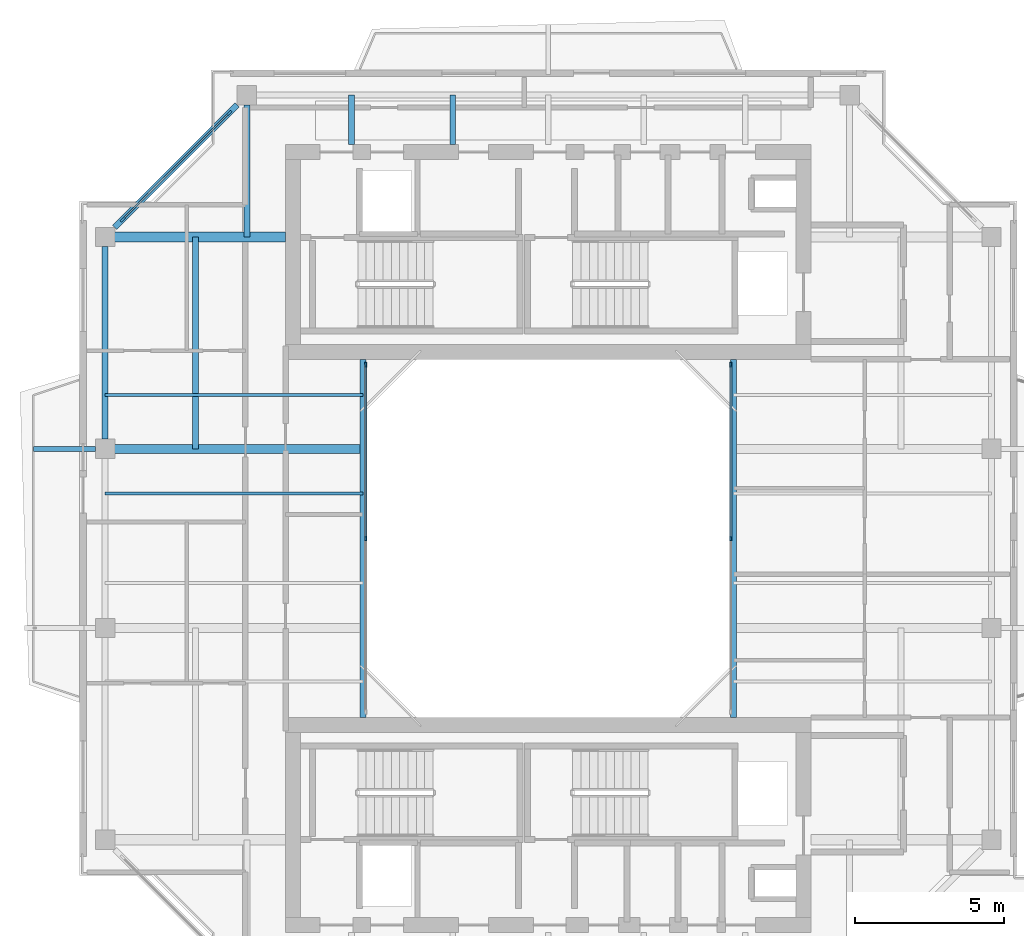
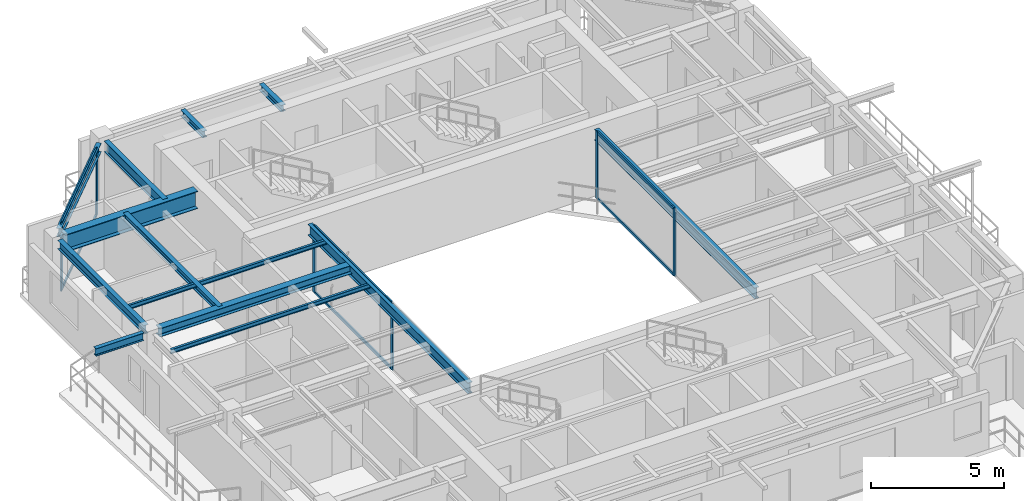
# One storey, part 5 of 14: 13 beams, 12 members, 3 elements without a shape of their own.
"""IFC4 building model written with IfcOpenShell, lengths in metres."""

from ifc_helpers import new_model, si_unit, direction, frame, origin, origin_2d, place, context, subcontext, project, spatial, rectangle, i_section, extrude, source, transform, mapped, material, layer, layer_set, material_profile, profile_set, type_object, element, aggregate, save


model = new_model("IFC4")

# Units and contexts
model_context = context("Model", 3, precision=1e-05, world=origin(), true_north=direction((0.0, 1.0)))
body_context = subcontext(model_context, "Body", "Model", "MODEL_VIEW")
ifc_project = project(units=[si_unit("LENGTHUNIT", "METRE"), si_unit("AREAUNIT", "SQUARE_METRE"), si_unit("VOLUMEUNIT", "CUBIC_METRE"), si_unit("PLANEANGLEUNIT", "RADIAN"), si_unit("MASSUNIT", "GRAM", prefix="KILO"), si_unit("THERMODYNAMICTEMPERATUREUNIT", "KELVIN"), si_unit("POWERUNIT", "WATT")], contexts=[model_context])

# Site, building, storey
site_placement = place(None, origin())
site = spatial("IfcSite", under=ifc_project, at=site_placement, CompositionType="ELEMENT")
building_placement = place(site_placement, origin())
building = spatial("IfcBuilding", under=site, at=building_placement, Name="Qiaomeng Ring Towers", CompositionType="ELEMENT")
storey_placement = place(building_placement, frame((0.0, 0.0, 253.5)))
storey = spatial("IfcBuildingStorey", under=building, at=storey_placement, Name="L74", CompositionType="ELEMENT", Elevation=253.5)

# Beams
ifc_material_1 = material(Name="Steel Q355B", Category="steel")
ifc_material_profile_1 = material_profile(ifc_material_1, i_section(OverallWidth=0.199951171875, OverallDepth=0.5, WebThickness=0.010009765625, FlangeThickness=0.01611328125, FilletRadius=0.02001953125, at=origin_2d()), Name="HN 500x200x10x16")
ifc_profile_set_1 = profile_set([ifc_material_profile_1], Name="Steel Q355B")
beam_type_1 = type_object("IfcBeamType", Name="STR-BM-HN500", PredefinedType="BEAM", material=ifc_profile_set_1)
shared_shape_1 = source(origin(), body_context, "Body", "SweptSolid", [
    extrude(i_section(OverallWidth=0.199951171875, OverallDepth=0.5, WebThickness=0.010009765625, FlangeThickness=0.01611328125, FilletRadius=0.02001953125, at=origin_2d()), origin(), (0.0, 0.0, 1.0), 12.0),
])
for number, where, z_axis, x_axis, name in (
    (1, (12.800048828125, 17.0, 2.820068359375), (0.0, 1.0, 0.0), (-1.0, 0.0, 0.0), "L74 beam STR-BM-L74-WELL-W"),
    (2, (25.199951171875, 17.0, 2.820068359375), (0.0, 1.0, 0.0), (-1.0, 0.0, 0.0), "L74 beam STR-BM-L74-WELL-E"),
):
    element("IfcBeam", number, at=place(storey_placement, frame(where, z_axis=z_axis, x_axis=x_axis)), inside=storey, type_object=beam_type_1, Name=name, PredefinedType="BEAM", context=body_context, shape_type="MappedRepresentation", body=[
        mapped(shared_shape_1, transform((0.0, 0.0, 0.0), x_axis=(1.0, 0.0, 0.0), y_axis=(0.0, 1.0, 0.0), z_axis=(0.0, 0.0, 1.0), scale=1.0)),
    ])
ifc_material_profile_2 = material_profile(ifc_material_1, i_section(OverallWidth=0.198974609375, OverallDepth=0.39599609375, WebThickness=0.007080078125, FlangeThickness=0.010986328125, FilletRadius=0.01611328125, at=origin_2d()), Name="HN 396x199x7x11")
ifc_profile_set_2 = profile_set([ifc_material_profile_2], Name="Steel Q355B")
beam_type_2 = type_object("IfcBeamType", Name="STR-BM-HN396", PredefinedType="SPANDREL", material=ifc_profile_set_2)
shared_shape_2 = source(origin(), body_context, "Body", "SweptSolid", [
    extrude(i_section(OverallWidth=0.198974609375, OverallDepth=0.39599609375, WebThickness=0.007080078125, FlangeThickness=0.010986328125, FilletRadius=0.01611328125, at=origin_2d()), origin(), (0.0, 0.0, 1.0), 5.800048828125),
])
beam_1_placement = place(storey_placement, frame((8.57568359375, 37.525634765625, 2.8720703125), z_axis=(-0.707106781187, -0.707106781187, 0.0), x_axis=(0.707106781187, -0.707106781187, 0.0)))
element("IfcBeam", 3, at=beam_1_placement, inside=storey, type_object=beam_type_2, Name="L74 beam STR-SP-L74-T1-N1-W4", PredefinedType="SPANDREL", context=body_context, shape_type="MappedRepresentation", body=[
    mapped(shared_shape_2, transform((0.0, 0.0, 0.0), x_axis=(1.0, 0.0, 0.0), y_axis=(0.0, 1.0, 0.0), z_axis=(0.0, 0.0, 1.0), scale=1.0)),
])
shared_shape_3 = source(origin(), body_context, "Body", "SweptSolid", [
    extrude(i_section(OverallWidth=0.198974609375, OverallDepth=0.39599609375, WebThickness=0.007080078125, FlangeThickness=0.010986328125, FilletRadius=0.01611328125, at=origin_2d()), origin(), (0.0, 0.0, 1.0), 6.451904296875),
])
beam_2_placement = place(storey_placement, frame((4.14990234375, 32.77587890625, 2.8720703125), z_axis=(0.0, -1.0, 0.0), x_axis=(1.0, 0.0, 0.0)))
element("IfcBeam", 4, at=beam_2_placement, inside=storey, type_object=beam_type_2, Name="L74 beam STR-SP-L74-T1-W4-W3", PredefinedType="SPANDREL", context=body_context, shape_type="MappedRepresentation", body=[
    mapped(shared_shape_3, transform((0.0, 0.0, 0.0), x_axis=(1.0, 0.0, 0.0), y_axis=(0.0, 1.0, 0.0), z_axis=(0.0, 0.0, 1.0), scale=1.0)),
])
ifc_material_2 = material(Name="Steel Q390GJC", Category="steel")
ifc_material_profile_3 = material_profile(ifc_material_2, i_section(OverallWidth=0.35009765625, OverallDepth=0.800048828125, WebThickness=0.01611328125, FlangeThickness=0.028076171875, at=origin_2d()), Name="WH 800x350x16x28")
ifc_profile_set_3 = profile_set([ifc_material_profile_3], Name="Steel Q390GJC")
beam_type_3 = type_object("IfcBeamType", Name="STR-BM-WH800", PredefinedType="BEAM", material=ifc_profile_set_3)
shared_shape_4 = source(origin(), body_context, "Body", "SweptSolid", [
    extrude(i_section(OverallWidth=0.35009765625, OverallDepth=0.800048828125, WebThickness=0.01611328125, FlangeThickness=0.028076171875, at=origin_2d()), origin(), (0.0, 0.0, 1.0), 5.725830078125),
])
beam_3_placement = place(storey_placement, frame((4.47412109375, 33.10009765625, 2.669921875), z_axis=(1.0, 0.0, 0.0), x_axis=(0.0, 1.0, 0.0)))
element("IfcBeam", 5, at=beam_3_placement, inside=storey, type_object=beam_type_3, Name="L74 beam STR-BM-L74-T1-RAD-W4", PredefinedType="BEAM", context=body_context, shape_type="MappedRepresentation", body=[
    mapped(shared_shape_4, transform((0.0, 0.0, 0.0), x_axis=(1.0, 0.0, 0.0), y_axis=(0.0, 1.0, 0.0), z_axis=(0.0, 0.0, 1.0), scale=1.0)),
])
ifc_material_profile_4 = material_profile(ifc_material_1, i_section(OverallWidth=0.198974609375, OverallDepth=0.49609375, WebThickness=0.009033203125, FlangeThickness=0.013916015625, FilletRadius=0.01806640625, at=origin_2d()), Name="HN 496x199x9x14")
ifc_profile_set_4 = profile_set([ifc_material_profile_4], Name="Steel Q355B")
beam_type_4 = type_object("IfcBeamType", Name="STR-BM-HN496", PredefinedType="BEAM", material=ifc_profile_set_4)
shared_shape_5 = source(origin(), body_context, "Body", "SweptSolid", [
    extrude(i_section(OverallWidth=0.198974609375, OverallDepth=0.49609375, WebThickness=0.009033203125, FlangeThickness=0.013916015625, FilletRadius=0.01806640625, at=origin_2d()), origin(), (0.0, 0.0, 1.0), 4.42578125),
])
beam_4_placement = place(storey_placement, frame((8.89990234375, 37.52587890625, 2.822021484375), z_axis=(0.0, -1.0, 0.0), x_axis=(1.0, 0.0, 0.0)))
element("IfcBeam", 6, at=beam_4_placement, inside=storey, type_object=beam_type_4, Name="L74 beam STR-BM-L74-T1-RAD-N1", PredefinedType="BEAM", context=body_context, shape_type="MappedRepresentation", body=[
    mapped(shared_shape_5, transform((0.0, 0.0, 0.0), x_axis=(1.0, 0.0, 0.0), y_axis=(0.0, 1.0, 0.0), z_axis=(0.0, 0.0, 1.0), scale=1.0)),
])
ifc_material_profile_5 = material_profile(ifc_material_1, i_section(OverallWidth=0.300048828125, OverallDepth=0.389892578125, WebThickness=0.010009765625, FlangeThickness=0.01611328125, FilletRadius=0.02197265625, at=origin_2d()), Name="HM 390x300x10x16")
ifc_profile_set_5 = profile_set([ifc_material_profile_5], Name="Steel Q355B")
beam_type_5 = type_object("IfcBeamType", Name="STR-BM-HM390", PredefinedType="BEAM", material=ifc_profile_set_5)
shared_shape_6 = source(origin(), body_context, "Body", "SweptSolid", [
    extrude(i_section(OverallWidth=0.300048828125, OverallDepth=0.389892578125, WebThickness=0.010009765625, FlangeThickness=0.01611328125, FilletRadius=0.02197265625, at=origin_2d()), origin(), (0.0, 0.0, 1.0), 8.325927734375),
])
beam_5_placement = place(storey_placement, frame((4.47412109375, 26.0, 2.875), z_axis=(1.0, 0.0, 0.0), x_axis=(0.0, 1.0, 0.0)))
element("IfcBeam", 7, at=beam_5_placement, inside=storey, type_object=beam_type_5, Name="L74 beam STR-BM-L74-T1-RAD-W3", PredefinedType="BEAM", context=body_context, shape_type="MappedRepresentation", body=[
    mapped(shared_shape_6, transform((0.0, 0.0, 0.0), x_axis=(1.0, 0.0, 0.0), y_axis=(0.0, 1.0, 0.0), z_axis=(0.0, 0.0, 1.0), scale=1.0)),
])
ifc_material_profile_6 = material_profile(ifc_material_1, i_section(OverallWidth=0.175048828125, OverallDepth=0.35009765625, WebThickness=0.007080078125, FlangeThickness=0.010986328125, FilletRadius=0.013916015625, at=origin_2d()), Name="HN 350x175x7x11")
ifc_profile_set_6 = profile_set([ifc_material_profile_6], Name="Steel Q355B")
beam_type_6 = type_object("IfcBeamType", Name="STR-BM-HN350", PredefinedType="JOIST", material=ifc_profile_set_6)
shared_shape_7 = source(origin(), body_context, "Body", "SweptSolid", [
    extrude(i_section(OverallWidth=0.175048828125, OverallDepth=0.35009765625, WebThickness=0.007080078125, FlangeThickness=0.010986328125, FilletRadius=0.013916015625, at=origin_2d()), origin(), (0.0, 0.0, 1.0), 2.075927734375),
])
beam_6_placement = place(storey_placement, frame((1.75, 26.0, 2.89501953125), z_axis=(1.0, 0.0, 0.0), x_axis=(0.0, 1.0, 0.0)))
element("IfcBeam", 8, at=beam_6_placement, inside=storey, type_object=beam_type_6, Name="L74 beam STR-BALBM-L74-W3", PredefinedType="JOIST", context=body_context, shape_type="MappedRepresentation", body=[
    mapped(shared_shape_7, transform((0.0, 0.0, 0.0), x_axis=(1.0, 0.0, 0.0), y_axis=(0.0, 1.0, 0.0), z_axis=(0.0, 0.0, 1.0), scale=1.0)),
])
ifc_material_profile_7 = material_profile(ifc_material_1, i_section(OverallWidth=0.199951171875, OverallDepth=0.2939453125, WebThickness=0.008056640625, FlangeThickness=0.011962890625, FilletRadius=0.01806640625, at=origin_2d()), Name="HM 294x200x8x12")
ifc_profile_set_7 = profile_set([ifc_material_profile_7], Name="Steel Q355B")
beam_type_7 = type_object("IfcBeamType", Name="STR-BM-HM294", PredefinedType="JOIST", material=ifc_profile_set_7)
shared_shape_8 = source(origin(), body_context, "Body", "SweptSolid", [
    extrude(i_section(OverallWidth=0.199951171875, OverallDepth=0.2939453125, WebThickness=0.008056640625, FlangeThickness=0.011962890625, FilletRadius=0.01806640625, at=origin_2d()), origin(), (0.0, 0.0, 1.0), 1.650146484375),
])
for number, where, z_axis, x_axis, name in (
    (9, (12.39990234375, 36.199951171875, 2.923095703125), (0.0, 1.0, 0.0), (-1.0, 0.0, 0.0), "L74 beam STR-JST-L74-T1N-1"),
    (10, (15.800048828125, 36.199951171875, 2.923095703125), (0.0, 1.0, 0.0), (-1.0, 0.0, 0.0), "L74 beam STR-JST-L74-T1N-2"),
):
    element("IfcBeam", number, at=place(storey_placement, frame(where, z_axis=z_axis, x_axis=x_axis)), inside=storey, type_object=beam_type_7, Name=name, PredefinedType="JOIST", context=body_context, shape_type="MappedRepresentation", body=[
        mapped(shared_shape_8, transform((0.0, 0.0, 0.0), x_axis=(1.0, 0.0, 0.0), y_axis=(0.0, 1.0, 0.0), z_axis=(0.0, 0.0, 1.0), scale=1.0)),
    ])
ifc_material_profile_8 = material_profile(ifc_material_1, i_section(OverallWidth=0.10009765625, OverallDepth=0.199951171875, WebThickness=0.005615234375, FlangeThickness=0.008056640625, FilletRadius=0.010986328125, at=origin_2d()), Name="HN 200x100x5.5x8")
ifc_profile_set_8 = profile_set([ifc_material_profile_8], Name="Steel Q355B")
beam_type_8 = type_object("IfcBeamType", Name="STR-BM-HN200", PredefinedType="JOIST", material=ifc_profile_set_8)
shared_shape_9 = source(origin(), body_context, "Body", "SweptSolid", [
    extrude(i_section(OverallWidth=0.10009765625, OverallDepth=0.199951171875, WebThickness=0.005615234375, FlangeThickness=0.008056640625, FilletRadius=0.010986328125, at=origin_2d()), origin(), (0.0, 0.0, 1.0), 8.650146484375),
])
for number, where, z_axis, x_axis, name in (
    (11, (4.14990234375, 24.5, 2.969970703125), (1.0, 0.0, 0.0), (0.0, 1.0, 0.0), "L74 beam STR-JST-L74-T1W-3"),
    (12, (4.14990234375, 27.800048828125, 2.969970703125), (1.0, 0.0, 0.0), (0.0, 1.0, 0.0), "L74 beam STR-JST-L74-T1W-4"),
):
    element("IfcBeam", number, at=place(storey_placement, frame(where, z_axis=z_axis, x_axis=x_axis)), inside=storey, type_object=beam_type_8, Name=name, PredefinedType="JOIST", context=body_context, shape_type="MappedRepresentation", body=[
        mapped(shared_shape_9, transform((0.0, 0.0, 0.0), x_axis=(1.0, 0.0, 0.0), y_axis=(0.0, 1.0, 0.0), z_axis=(0.0, 0.0, 1.0), scale=1.0)),
    ])
shared_shape_10 = source(origin(), body_context, "Body", "SweptSolid", [
    extrude(i_section(OverallWidth=0.199951171875, OverallDepth=0.2939453125, WebThickness=0.008056640625, FlangeThickness=0.011962890625, FilletRadius=0.01806640625, at=origin_2d()), origin(), (0.0, 0.0, 1.0), 7.10009765625),
])
beam_7_placement = place(storey_placement, frame((7.175048828125, 26.0, 2.923095703125), z_axis=(0.0, 1.0, 0.0), x_axis=(-1.0, 0.0, 0.0)))
element("IfcBeam", 13, at=beam_7_placement, inside=storey, type_object=beam_type_7, Name="L74 beam STR-JST-L74-T1C-WN", PredefinedType="JOIST", context=body_context, shape_type="MappedRepresentation", body=[
    mapped(shared_shape_10, transform((0.0, 0.0, 0.0), x_axis=(1.0, 0.0, 0.0), y_axis=(0.0, 1.0, 0.0), z_axis=(0.0, 0.0, 1.0), scale=1.0)),
])

# Curtain wall, members
ifc_material_3 = material(Name="Fluorocarbon dark-grey aluminium", Category="aluminium")
ifc_layer_1 = layer(ifc_material_3, 0.139892578125, Name="Fluorocarbon dark-grey aluminium")
ifc_layer_set_1 = layer_set([ifc_layer_1], Name="Fluorocarbon dark-grey aluminium")
curtain_wall_type_1 = type_object("IfcCurtainWallType", Name="ARC-CW-4", PredefinedType="NOTDEFINED", material=ifc_layer_set_1)
curtain_wall_1_placement = place(storey_placement, origin())
curtain_wall_1 = element("IfcCurtainWall", 14, at=curtain_wall_1_placement, inside=storey, type_object=curtain_wall_type_1, Name="L74 Curtain Wall CW4", PredefinedType="NOTDEFINED")
ifc_material_profile_9 = material_profile(ifc_material_3, rectangle(XDim=0.06494140625, YDim=0.159912109375, at=origin_2d()), Name="ALU MULL 65x160")
ifc_profile_set_9 = profile_set([ifc_material_profile_9], Name="Fluorocarbon dark-grey aluminium")
member_type_1 = type_object("IfcMemberType", Name="ARC-CWM-140", PredefinedType="MULLION", material=ifc_profile_set_9)
shared_shape_11 = source(origin(), body_context, "Body", "SweptSolid", [
    extrude(rectangle(XDim=0.06494140625, YDim=0.159912109375, at=origin_2d()), origin(), (0.0, 0.0, 1.0), 3.070068359375),
])
member_1_placement = place(storey_placement, frame((12.8798828125, 23.0, 0.0), z_axis=(0.0, 0.0, 1.0), x_axis=(-1.0, 0.0, 0.0)))
member_1 = element("IfcMember", 15, at=member_1_placement, type_object=member_type_1, Name="CW4 mullion 2", PredefinedType="MULLION", context=body_context, shape_type="MappedRepresentation", body=[
    mapped(shared_shape_11, transform((0.0, 0.0, 0.0), x_axis=(1.0, 0.0, 0.0), y_axis=(0.0, 1.0, 0.0), z_axis=(0.0, 0.0, 1.0), scale=1.0)),
])
member_2_placement = place(storey_placement, frame((12.8798828125, 28.8173828125, 0.0), z_axis=(0.0, 0.0, 1.0), x_axis=(-1.0, 0.0, 0.0)))
member_2 = element("IfcMember", 16, at=member_2_placement, type_object=member_type_1, Name="CW4 mullion 3", PredefinedType="MULLION", context=body_context, shape_type="MappedRepresentation", body=[
    mapped(shared_shape_11, transform((0.0, 0.0, 0.0), x_axis=(1.0, 0.0, 0.0), y_axis=(0.0, 1.0, 0.0), z_axis=(0.0, 0.0, 1.0), scale=1.0)),
])

curtain_wall_2_placement = place(storey_placement, origin())
curtain_wall_2 = element("IfcCurtainWall", 17, at=curtain_wall_2_placement, inside=storey, type_object=curtain_wall_type_1, Name="L74 Curtain Wall CW4", PredefinedType="NOTDEFINED")
member_3_placement = place(storey_placement, frame((25.1201171875, 23.0, 0.0), z_axis=(0.0, 0.0, 1.0), x_axis=(-1.0, 0.0, 0.0)))
member_3 = element("IfcMember", 18, at=member_3_placement, type_object=member_type_1, Name="CW4 mullion 2", PredefinedType="MULLION", context=body_context, shape_type="MappedRepresentation", body=[
    mapped(shared_shape_11, transform((0.0, 0.0, 0.0), x_axis=(1.0, 0.0, 0.0), y_axis=(0.0, 1.0, 0.0), z_axis=(0.0, 0.0, 1.0), scale=1.0)),
])
member_4_placement = place(storey_placement, frame((25.1201171875, 28.8173828125, 0.0), z_axis=(0.0, 0.0, 1.0), x_axis=(-1.0, 0.0, 0.0)))
member_4 = element("IfcMember", 19, at=member_4_placement, type_object=member_type_1, Name="CW4 mullion 3", PredefinedType="MULLION", context=body_context, shape_type="MappedRepresentation", body=[
    mapped(shared_shape_11, transform((0.0, 0.0, 0.0), x_axis=(1.0, 0.0, 0.0), y_axis=(0.0, 1.0, 0.0), z_axis=(0.0, 0.0, 1.0), scale=1.0)),
])

# Member
ifc_material_profile_10 = material_profile(ifc_material_3, rectangle(XDim=0.06494140625, YDim=0.1298828125, at=origin_2d()), Name="ALU TRAN 65x130")
ifc_profile_set_10 = profile_set([ifc_material_profile_10], Name="Fluorocarbon dark-grey aluminium")
member_type_2 = type_object("IfcMemberType", Name="ARC-CWT-120", PredefinedType="USERDEFINED", material=ifc_profile_set_10)
shared_shape_12 = source(origin(), body_context, "Body", "SweptSolid", [
    extrude(rectangle(XDim=0.06494140625, YDim=0.1298828125, at=origin_2d()), origin(), (0.0, 0.0, 1.0), 5.75244140625),
])
member_5_placement = place(storey_placement, frame((12.8798828125, 23.032470703125, 0.032470703125), z_axis=(0.0, 1.0, 0.0), x_axis=(-1.0, 0.0, 0.0)))
member_5 = element("IfcMember", 20, at=member_5_placement, type_object=member_type_2, Name="CW4 transom 2.1", ObjectType="TRANSOM", PredefinedType="USERDEFINED", context=body_context, shape_type="MappedRepresentation", body=[
    mapped(shared_shape_12, transform((0.0, 0.0, 0.0), x_axis=(1.0, 0.0, 0.0), y_axis=(0.0, 1.0, 0.0), z_axis=(0.0, 0.0, 1.0), scale=1.0)),
])

member_6_placement = place(storey_placement, frame((12.8798828125, 23.032470703125, 3.03759765625), z_axis=(0.0, 1.0, 0.0), x_axis=(-1.0, 0.0, 0.0)))
member_6 = element("IfcMember", 21, at=member_6_placement, type_object=member_type_2, Name="CW4 transom 2.2", ObjectType="TRANSOM", PredefinedType="USERDEFINED", context=body_context, shape_type="MappedRepresentation", body=[
    mapped(shared_shape_12, transform((0.0, 0.0, 0.0), x_axis=(1.0, 0.0, 0.0), y_axis=(0.0, 1.0, 0.0), z_axis=(0.0, 0.0, 1.0), scale=1.0)),
])

aggregate(curtain_wall_1, [member_1, member_2, member_5, member_6])

member_7_placement = place(storey_placement, frame((25.1201171875, 23.032470703125, 0.032470703125), z_axis=(0.0, 1.0, 0.0), x_axis=(-1.0, 0.0, 0.0)))
member_7 = element("IfcMember", 22, at=member_7_placement, type_object=member_type_2, Name="CW4 transom 2.1", ObjectType="TRANSOM", PredefinedType="USERDEFINED", context=body_context, shape_type="MappedRepresentation", body=[
    mapped(shared_shape_12, transform((0.0, 0.0, 0.0), x_axis=(1.0, 0.0, 0.0), y_axis=(0.0, 1.0, 0.0), z_axis=(0.0, 0.0, 1.0), scale=1.0)),
])

member_8_placement = place(storey_placement, frame((25.1201171875, 23.032470703125, 3.03759765625), z_axis=(0.0, 1.0, 0.0), x_axis=(-1.0, 0.0, 0.0)))
member_8 = element("IfcMember", 23, at=member_8_placement, type_object=member_type_2, Name="CW4 transom 2.2", ObjectType="TRANSOM", PredefinedType="USERDEFINED", context=body_context, shape_type="MappedRepresentation", body=[
    mapped(shared_shape_12, transform((0.0, 0.0, 0.0), x_axis=(1.0, 0.0, 0.0), y_axis=(0.0, 1.0, 0.0), z_axis=(0.0, 0.0, 1.0), scale=1.0)),
])

aggregate(curtain_wall_2, [member_3, member_4, member_7, member_8])

# Curtain wall, members
ifc_layer_2 = layer(ifc_material_3, 0.14990234375, Name="Fluorocarbon dark-grey aluminium")
ifc_layer_set_2 = layer_set([ifc_layer_2], Name="Fluorocarbon dark-grey aluminium")
curtain_wall_type_2 = type_object("IfcCurtainWallType", Name="ARC-CW-3", PredefinedType="NOTDEFINED", material=ifc_layer_set_2)
curtain_wall_3_placement = place(storey_placement, origin())
curtain_wall_3 = element("IfcCurtainWall", 24, at=curtain_wall_3_placement, inside=storey, type_object=curtain_wall_type_2, Name="L74 Curtain Wall CW3", PredefinedType="NOTDEFINED")
ifc_material_profile_11 = material_profile(ifc_material_3, rectangle(XDim=0.070068359375, YDim=0.179931640625, at=origin_2d()), Name="ALU MULL 70x180")
ifc_profile_set_11 = profile_set([ifc_material_profile_11], Name="Fluorocarbon dark-grey aluminium")
member_type_3 = type_object("IfcMemberType", Name="ARC-CWM-160", PredefinedType="MULLION", material=ifc_profile_set_11)
shared_shape_13 = source(origin(), body_context, "Body", "SweptSolid", [
    extrude(rectangle(XDim=0.070068359375, YDim=0.179931640625, at=origin_2d()), origin(), (0.0, 0.0, 1.0), 3.070068359375),
])
member_9_placement = place(storey_placement, frame((8.310302734375, 37.26025390625, 0.0), z_axis=(0.0, 0.0, 1.0), x_axis=(0.707106781187, -0.707106781187, 0.0)))
member_9 = element("IfcMember", 25, at=member_9_placement, type_object=member_type_3, Name="CW3 mullion 1", PredefinedType="MULLION", context=body_context, shape_type="MappedRepresentation", body=[
    mapped(shared_shape_13, transform((0.0, 0.0, 0.0), x_axis=(1.0, 0.0, 0.0), y_axis=(0.0, 1.0, 0.0), z_axis=(0.0, 0.0, 1.0), scale=1.0)),
])
member_10_placement = place(storey_placement, frame((4.73974609375, 33.689697265625, 0.0), z_axis=(0.0, 0.0, 1.0), x_axis=(0.707106781187, -0.707106781187, 0.0)))
member_10 = element("IfcMember", 26, at=member_10_placement, type_object=member_type_3, Name="CW3 mullion 2", PredefinedType="MULLION", context=body_context, shape_type="MappedRepresentation", body=[
    mapped(shared_shape_13, transform((0.0, 0.0, 0.0), x_axis=(1.0, 0.0, 0.0), y_axis=(0.0, 1.0, 0.0), z_axis=(0.0, 0.0, 1.0), scale=1.0)),
])
shared_shape_14 = source(origin(), body_context, "Body", "SweptSolid", [
    extrude(rectangle(XDim=0.06494140625, YDim=0.1298828125, at=origin_2d()), origin(), (0.0, 0.0, 1.0), 4.9794921875),
])
member_11_placement = place(storey_placement, frame((8.285400390625, 37.235595703125, 0.032470703125), z_axis=(-0.707106781187, -0.707106781187, 0.0), x_axis=(0.707106781187, -0.707106781187, 0.0)))
member_11 = element("IfcMember", 27, at=member_11_placement, type_object=member_type_2, Name="CW3 transom 1.1", ObjectType="TRANSOM", PredefinedType="USERDEFINED", context=body_context, shape_type="MappedRepresentation", body=[
    mapped(shared_shape_14, transform((0.0, 0.0, 0.0), x_axis=(1.0, 0.0, 0.0), y_axis=(0.0, 1.0, 0.0), z_axis=(0.0, 0.0, 1.0), scale=1.0)),
])
member_12_placement = place(storey_placement, frame((8.285400390625, 37.235595703125, 3.03759765625), z_axis=(-0.707106781187, -0.707106781187, 0.0), x_axis=(0.707106781187, -0.707106781187, 0.0)))
member_12 = element("IfcMember", 28, at=member_12_placement, type_object=member_type_2, Name="CW3 transom 1.2", ObjectType="TRANSOM", PredefinedType="USERDEFINED", context=body_context, shape_type="MappedRepresentation", body=[
    mapped(shared_shape_14, transform((0.0, 0.0, 0.0), x_axis=(1.0, 0.0, 0.0), y_axis=(0.0, 1.0, 0.0), z_axis=(0.0, 0.0, 1.0), scale=1.0)),
])
aggregate(curtain_wall_3, [member_9, member_10, member_11, member_12])

save(model, "model.ifc")
